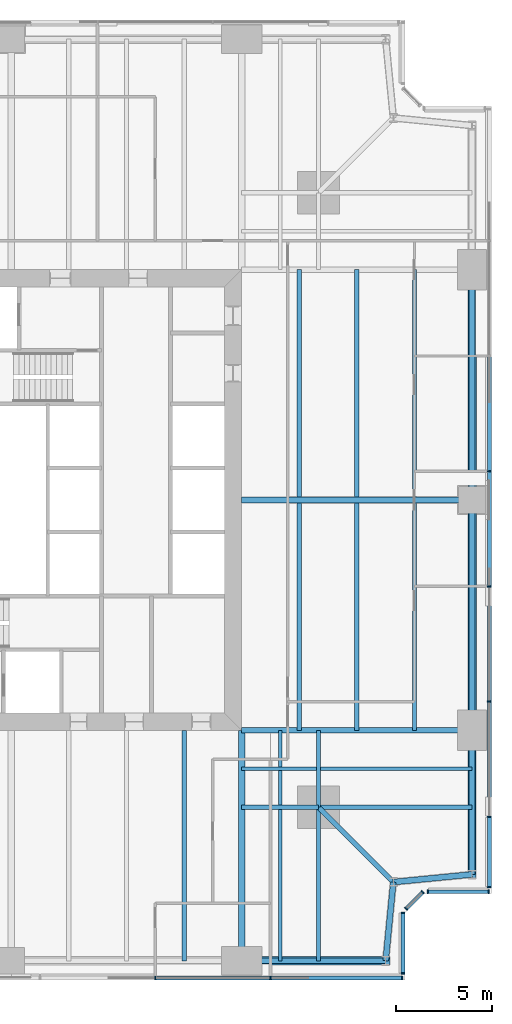
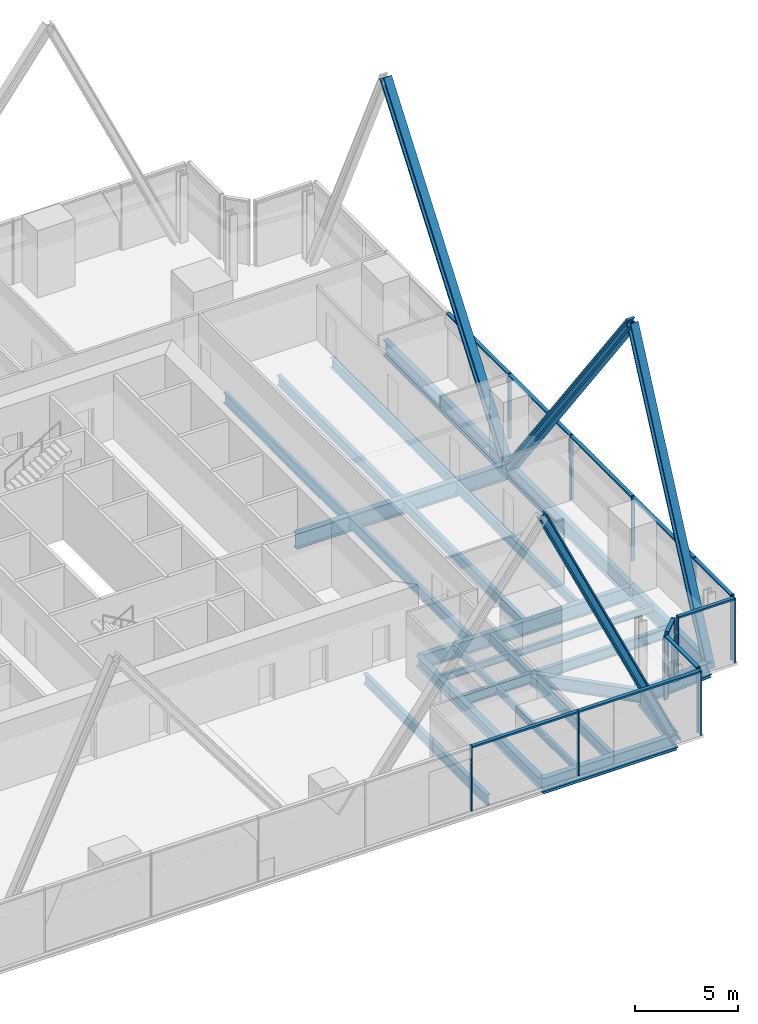
# One storey, part 5 of 13: 28 members, 26 beams, 5 elements without a shape of their own.
"""IFC4 building model written with IfcOpenShell, lengths in metres."""

from ifc_helpers import new_model, si_unit, direction, frame, origin, origin_2d, place, context, subcontext, project, spatial, rectangle, i_section, extrude, material, material_profile, profile_set, type_object, element, aggregate, save


model = new_model("IFC4")

# Units and contexts
model_context = context("Model", 3, precision=1e-05, world=origin(), true_north=direction((0.0, 1.0)))
body_context = subcontext(model_context, "Body", "Model", "MODEL_VIEW")
ifc_project = project(units=[si_unit("LENGTHUNIT", "METRE"), si_unit("AREAUNIT", "SQUARE_METRE"), si_unit("VOLUMEUNIT", "CUBIC_METRE"), si_unit("PLANEANGLEUNIT", "RADIAN"), si_unit("MASSUNIT", "GRAM", prefix="KILO")], contexts=[model_context])

# Site, building, storey
site_placement = place(None, origin())
site = spatial("IfcSite", under=ifc_project, at=site_placement, CompositionType="ELEMENT")
building_placement = place(site_placement, origin())
building = spatial("IfcBuilding", under=site, at=building_placement, Name="Fenwick Lantern Interchange", CompositionType="ELEMENT")
storey_placement = place(building_placement, frame((0.0, 0.0, 114.39990234375)))
storey = spatial("IfcBuildingStorey", under=building, at=storey_placement, Name="L26", CompositionType="ELEMENT", Elevation=114.39990234375)

# Beams
ifc_material_1 = material(Name="Steel ASTM A992 Grade 50", Category="steel")
ifc_material_profile_1 = material_profile(ifc_material_1, i_section(OverallWidth=0.3046875, OverallDepth=0.911865234375, WebThickness=0.015869140625, FlangeThickness=0.02392578125, at=origin_2d()), Name="W36X150")
ifc_profile_set_1 = profile_set([ifc_material_profile_1], Name="Steel ASTM A992 Grade 50")
beam_type_1 = type_object("IfcBeamType", Name="EDGE BEAM W36X150", PredefinedType="SPANDREL", material=ifc_profile_set_1)
beam_1_placement = place(storey_placement, frame((37.0, 1.0, -0.605712890625), z_axis=(1.0, 0.0, 0.0), x_axis=(0.0, 1.0, 0.0)))
element("IfcBeam", 1, at=beam_1_placement, inside=storey, type_object=beam_type_1, Name="L26/FR/S/EB4", PredefinedType="SPANDREL", context=body_context, shape_type="SweptSolid", body=[
    extrude(i_section(OverallWidth=0.3046875, OverallDepth=0.911865234375, WebThickness=0.015869140625, FlangeThickness=0.02392578125, at=origin_2d()), origin(), (0.0, 0.0, 1.0), 7.5),
])
for number, where, z_axis, x_axis, name in (
    (2, (44.5, 1.0, -0.605712890625), (0.097074191287, 0.995277148028, 0.0), (-0.995277148028, 0.097074191287, 0.0), "L26/FR/S/EBR1"),
    (3, (44.89990234375, 5.10009765625, -0.605712890625), (0.995277148028, 0.097074191287, 0.0), (-0.097074191287, 0.995277148028, 0.0), "L26/FR/S/EBR2"),
):
    element("IfcBeam", number, at=place(storey_placement, frame(where, z_axis=z_axis, x_axis=x_axis)), inside=storey, type_object=beam_type_1, Name=name, PredefinedType="SPANDREL", context=body_context, shape_type="SweptSolid", body=[
        extrude(i_section(OverallWidth=0.3046875, OverallDepth=0.911865234375, WebThickness=0.015869140625, FlangeThickness=0.02392578125, at=origin_2d()), origin(), (0.0, 0.0, 1.0), 4.11962890625),
    ])
beam_2_placement = place(storey_placement, frame((49.0, 5.5, -0.605712890625), z_axis=(0.0, 1.0, 0.0), x_axis=(-1.0, 0.0, 0.0)))
element("IfcBeam", 4, at=beam_2_placement, inside=storey, type_object=beam_type_1, Name="L26/FR/E/EB1", PredefinedType="SPANDREL", context=body_context, shape_type="SweptSolid", body=[
    extrude(i_section(OverallWidth=0.3046875, OverallDepth=0.911865234375, WebThickness=0.015869140625, FlangeThickness=0.02392578125, at=origin_2d()), origin(), (0.0, 0.0, 1.0), 7.5),
])
for number, where, z_axis, x_axis, name in (
    (5, (49.0, 13.0, -0.605712890625), (0.0, 1.0, 0.0), (-1.0, 0.0, 0.0), "L26/FR/E/EB2"),
    (6, (49.0, 25.0, -0.605712890625), (0.0, 1.0, 0.0), (-1.0, 0.0, 0.0), "L26/FR/E/EB3"),
):
    element("IfcBeam", number, at=place(storey_placement, frame(where, z_axis=z_axis, x_axis=x_axis)), inside=storey, type_object=beam_type_1, Name=name, PredefinedType="SPANDREL", context=body_context, shape_type="SweptSolid", body=[
        extrude(i_section(OverallWidth=0.3046875, OverallDepth=0.911865234375, WebThickness=0.015869140625, FlangeThickness=0.02392578125, at=origin_2d()), origin(), (0.0, 0.0, 1.0), 12.0),
    ])

# Members
ifc_material_profile_2 = material_profile(ifc_material_1, i_section(OverallWidth=0.424072265625, OverallDepth=0.47509765625, WebThickness=0.0478515625, FlangeThickness=0.0771484375, at=origin_2d()), Name="W14X426")
ifc_profile_set_2 = profile_set([ifc_material_profile_2], Name="Steel ASTM A992 Grade 50")
member_type_1 = type_object("IfcMemberType", Name="FACADE BRACE W14X426", PredefinedType="BRACE", material=ifc_profile_set_2)
for number, where, z_axis, x_axis, name in (
    (7, (44.5, 1.0, -0.605712890625), (-0.424433876231, 0.0, 0.905458935959), (0.0, -1.0, 0.0), "L26/FB/S/BE"),
    (8, (49.0, 5.5, -0.605712890625), (0.0, 0.424433876231, 0.905458935959), (-1.0, 0.0, 0.0), "L26/FB/E/AE"),
):
    element("IfcMember", number, at=place(storey_placement, frame(where, z_axis=z_axis, x_axis=x_axis)), inside=storey, type_object=member_type_1, Name=name, PredefinedType="BRACE", context=body_context, shape_type="SweptSolid", body=[
        extrude(i_section(OverallWidth=0.424072265625, OverallDepth=0.47509765625, WebThickness=0.0478515625, FlangeThickness=0.0771484375, at=origin_2d()), origin(), (0.0, 0.0, 1.0), 17.670654296875),
    ])
ifc_material_profile_3 = material_profile(ifc_material_1, i_section(OverallWidth=0.44189453125, OverallDepth=0.53076171875, WebThickness=0.06591796875, FlangeThickness=0.105712890625, at=origin_2d()), Name="W14X605")
ifc_profile_set_3 = profile_set([ifc_material_profile_3], Name="Steel ASTM A992 Grade 50")
member_type_2 = type_object("IfcMemberType", Name="FACADE BRACE W14X605", PredefinedType="BRACE", material=ifc_profile_set_3)
for number, where, z_axis, x_axis, name in (
    (9, (49.0, 25.0, -0.605712890625), (0.0, -0.6, 0.8), (1.0, 0.0, 0.0), "L26/FB/E/A"),
    (10, (49.0, 25.0, -0.605712890625), (0.0, 0.6, 0.8), (-1.0, 0.0, 0.0), "L26/FB/E/B"),
):
    element("IfcMember", number, at=place(storey_placement, frame(where, z_axis=z_axis, x_axis=x_axis)), inside=storey, type_object=member_type_2, Name=name, PredefinedType="BRACE", context=body_context, shape_type="SweptSolid", body=[
        extrude(i_section(OverallWidth=0.44189453125, OverallDepth=0.53076171875, WebThickness=0.06591796875, FlangeThickness=0.105712890625, at=origin_2d()), origin(), (0.0, 0.0, 1.0), 20.0),
    ])

# Beams
ifc_material_profile_4 = material_profile(ifc_material_1, i_section(OverallWidth=0.22900390625, OverallDepth=0.612060546875, WebThickness=0.011962890625, FlangeThickness=0.01953125, at=origin_2d()), Name="W24X84")
ifc_profile_set_4 = profile_set([ifc_material_profile_4], Name="Steel ASTM A992 Grade 50")
beam_type_2 = type_object("IfcBeamType", Name="FLOOR BEAM W24X84", PredefinedType="BEAM", material=ifc_profile_set_4)
beam_3_placement = place(storey_placement, frame((34.0, 1.0, -0.4560546875), z_axis=(0.0, 1.0, 0.0), x_axis=(-1.0, 0.0, 0.0)))
element("IfcBeam", 11, at=beam_3_placement, inside=storey, type_object=beam_type_2, Name="L26/FR/S/R08", PredefinedType="BEAM", context=body_context, shape_type="SweptSolid", body=[
    extrude(i_section(OverallWidth=0.22900390625, OverallDepth=0.612060546875, WebThickness=0.011962890625, FlangeThickness=0.01953125, at=origin_2d()), origin(), (0.0, 0.0, 1.0), 12.0),
])
for number, where, z_axis, x_axis, name in (
    (12, (46.0, 13.0, -0.4560546875), (0.0, 1.0, 0.0), (-1.0, 0.0, 0.0), "L26/FR/E/B01"),
    (13, (43.0, 13.0, -0.4560546875), (0.0, 1.0, 0.0), (-1.0, 0.0, 0.0), "L26/FR/E/B02"),
    (14, (40.0, 13.0, -0.4560546875), (0.0, 1.0, 0.0), (-1.0, 0.0, 0.0), "L26/FR/E/B03"),
    (15, (46.0, 25.155029296875, -0.4560546875), (0.0, 1.0, 0.0), (-1.0, 0.0, 0.0), "L26/FR/E/B04"),
    (16, (43.0, 25.155029296875, -0.4560546875), (0.0, 1.0, 0.0), (-1.0, 0.0, 0.0), "L26/FR/E/B05"),
    (17, (40.0, 25.155029296875, -0.4560546875), (0.0, 1.0, 0.0), (-1.0, 0.0, 0.0), "L26/FR/E/B06"),
):
    element("IfcBeam", number, at=place(storey_placement, frame(where, z_axis=z_axis, x_axis=x_axis)), inside=storey, type_object=beam_type_2, Name=name, PredefinedType="BEAM", context=body_context, shape_type="SweptSolid", body=[
        extrude(i_section(OverallWidth=0.22900390625, OverallDepth=0.612060546875, WebThickness=0.011962890625, FlangeThickness=0.01953125, at=origin_2d()), origin(), (0.0, 0.0, 1.0), 11.844970703125),
    ])
ifc_material_profile_5 = material_profile(ifc_material_1, i_section(OverallWidth=0.177734375, OverallDepth=0.406494140625, WebThickness=0.0078125, FlangeThickness=0.012939453125, at=origin_2d()), Name="W16X40")
ifc_profile_set_5 = profile_set([ifc_material_profile_5], Name="Steel ASTM A992 Grade 50")
beam_type_3 = type_object("IfcBeamType", Name="INFILL BEAM W16X40", PredefinedType="JOIST", material=ifc_profile_set_5)
beam_4_placement = place(storey_placement, frame((49.0, 11.0, -0.35302734375), z_axis=(-1.0, 0.0, 0.0), x_axis=(0.0, -1.0, 0.0)))
element("IfcBeam", 18, at=beam_4_placement, inside=storey, type_object=beam_type_3, Name="L26/FR/E/J1", PredefinedType="JOIST", context=body_context, shape_type="SweptSolid", body=[
    extrude(i_section(OverallWidth=0.177734375, OverallDepth=0.406494140625, WebThickness=0.0078125, FlangeThickness=0.012939453125, at=origin_2d()), origin(), (0.0, 0.0, 1.0), 7.885498046875),
])
beam_5_placement = place(storey_placement, frame((40.885498046875, 11.0, -0.35302734375), z_axis=(-1.0, 0.0, 0.0), x_axis=(0.0, -1.0, 0.0)))
element("IfcBeam", 19, at=beam_5_placement, inside=storey, type_object=beam_type_3, Name="L26/FR/E/J2", PredefinedType="JOIST", context=body_context, shape_type="SweptSolid", body=[
    extrude(i_section(OverallWidth=0.177734375, OverallDepth=0.406494140625, WebThickness=0.0078125, FlangeThickness=0.012939453125, at=origin_2d()), origin(), (0.0, 0.0, 1.0), 3.885498046875),
])
beam_6_placement = place(storey_placement, frame((39.0, 1.0, -0.35302734375), z_axis=(0.0, 1.0, 0.0), x_axis=(-1.0, 0.0, 0.0)))
element("IfcBeam", 20, at=beam_6_placement, inside=storey, type_object=beam_type_3, Name="L26/FR/E/J3", PredefinedType="JOIST", context=body_context, shape_type="SweptSolid", body=[
    extrude(i_section(OverallWidth=0.177734375, OverallDepth=0.406494140625, WebThickness=0.0078125, FlangeThickness=0.012939453125, at=origin_2d()), origin(), (0.0, 0.0, 1.0), 7.885498046875),
])
beam_7_placement = place(storey_placement, frame((39.0, 9.114501953125, -0.35302734375), z_axis=(0.0, 1.0, 0.0), x_axis=(-1.0, 0.0, 0.0)))
element("IfcBeam", 21, at=beam_7_placement, inside=storey, type_object=beam_type_3, Name="L26/FR/E/J4", PredefinedType="JOIST", context=body_context, shape_type="SweptSolid", body=[
    extrude(i_section(OverallWidth=0.177734375, OverallDepth=0.406494140625, WebThickness=0.0078125, FlangeThickness=0.012939453125, at=origin_2d()), origin(), (0.0, 0.0, 1.0), 1.796630859375),
])
beam_8_placement = place(storey_placement, frame((39.0, 11.0888671875, -0.35302734375), z_axis=(0.0, 1.0, 0.0), x_axis=(-1.0, 0.0, 0.0)))
element("IfcBeam", 22, at=beam_8_placement, inside=storey, type_object=beam_type_3, Name="L26/FR/E/J5", PredefinedType="JOIST", context=body_context, shape_type="SweptSolid", body=[
    extrude(i_section(OverallWidth=0.177734375, OverallDepth=0.406494140625, WebThickness=0.0078125, FlangeThickness=0.012939453125, at=origin_2d()), origin(), (0.0, 0.0, 1.0), 1.9111328125),
])
ifc_material_profile_6 = material_profile(ifc_material_1, i_section(OverallWidth=0.22900390625, OverallDepth=0.612060546875, WebThickness=0.011962890625, FlangeThickness=0.01953125, at=origin_2d()), Name="W24X84")
ifc_profile_set_6 = profile_set([ifc_material_profile_6], Name="Steel ASTM A992 Grade 50")
beam_type_4 = type_object("IfcBeamType", Name="MEGA COLUMN BEAM W24X84", PredefinedType="BEAM", material=ifc_profile_set_6)
for number, where, z_axis, x_axis, name in (
    (23, (41.0, 9.0, -0.4560546875), (1.0, 0.0, 0.0), (0.0, 1.0, 0.0), "L26/FR/E/MB1"),
    (24, (41.0, 9.0, -0.4560546875), (0.0, -1.0, 0.0), (1.0, 0.0, 0.0), "L26/FR/E/MB2"),
):
    element("IfcBeam", number, at=place(storey_placement, frame(where, z_axis=z_axis, x_axis=x_axis)), inside=storey, type_object=beam_type_4, Name=name, PredefinedType="BEAM", context=body_context, shape_type="SweptSolid", body=[
        extrude(i_section(OverallWidth=0.22900390625, OverallDepth=0.612060546875, WebThickness=0.011962890625, FlangeThickness=0.01953125, at=origin_2d()), origin(), (0.0, 0.0, 1.0), 8.0),
    ])
for number, where, z_axis, x_axis, name in (
    (25, (41.0, 9.0, -0.4560546875), (0.0, 1.0, 0.0), (-1.0, 0.0, 0.0), "L26/FR/E/MB3"),
    (26, (41.0, 9.0, -0.4560546875), (-1.0, 0.0, 0.0), (0.0, -1.0, 0.0), "L26/FR/E/MB4"),
):
    element("IfcBeam", number, at=place(storey_placement, frame(where, z_axis=z_axis, x_axis=x_axis)), inside=storey, type_object=beam_type_4, Name=name, PredefinedType="BEAM", context=body_context, shape_type="SweptSolid", body=[
        extrude(i_section(OverallWidth=0.22900390625, OverallDepth=0.612060546875, WebThickness=0.011962890625, FlangeThickness=0.01953125, at=origin_2d()), origin(), (0.0, 0.0, 1.0), 4.0),
    ])
ifc_material_profile_7 = material_profile(ifc_material_1, i_section(OverallWidth=0.32763671875, OverallDepth=0.622314453125, WebThickness=0.015380859375, FlangeThickness=0.0244140625, at=origin_2d()), Name="W24X131")
ifc_profile_set_7 = profile_set([ifc_material_profile_7], Name="Steel ASTM A992 Grade 50")
beam_type_5 = type_object("IfcBeamType", Name="MOMENT-CONNECTED GIRDER W24X131", PredefinedType="BEAM", material=ifc_profile_set_7)
beam_9_placement = place(storey_placement, frame((37.0, 1.0, -0.4609375), z_axis=(0.0, 1.0, 0.0), x_axis=(-1.0, 0.0, 0.0)))
element("IfcBeam", 27, at=beam_9_placement, inside=storey, type_object=beam_type_5, Name="L26/FR/S/R09", PredefinedType="BEAM", context=body_context, shape_type="SweptSolid", body=[
    extrude(i_section(OverallWidth=0.32763671875, OverallDepth=0.622314453125, WebThickness=0.015380859375, FlangeThickness=0.0244140625, at=origin_2d()), origin(), (0.0, 0.0, 1.0), 12.0),
])
ifc_material_profile_8 = material_profile(ifc_material_1, i_section(OverallWidth=0.2919921875, OverallDepth=0.845703125, WebThickness=0.015380859375, FlangeThickness=0.0244140625, at=origin_2d()), Name="W33X141")
ifc_profile_set_8 = profile_set([ifc_material_profile_8], Name="Steel ASTM A992 Grade 50")
beam_type_6 = type_object("IfcBeamType", Name="MOMENT-CONNECTED GIRDER W33X141", PredefinedType="BEAM", material=ifc_profile_set_8)
beam_10_placement = place(storey_placement, frame((49.0, 13.0, -0.57275390625), z_axis=(-1.0, 0.0, 0.0), x_axis=(0.0, -1.0, 0.0)))
element("IfcBeam", 28, at=beam_10_placement, inside=storey, type_object=beam_type_6, Name="L26/FR/E/R01", PredefinedType="BEAM", context=body_context, shape_type="SweptSolid", body=[
    extrude(i_section(OverallWidth=0.2919921875, OverallDepth=0.845703125, WebThickness=0.015380859375, FlangeThickness=0.0244140625, at=origin_2d()), origin(), (0.0, 0.0, 1.0), 12.0),
])
ifc_material_profile_9 = material_profile(ifc_material_1, i_section(OverallWidth=0.309814453125, OverallDepth=0.949951171875, WebThickness=0.0244140625, FlangeThickness=0.0439453125, at=origin_2d()), Name="W36X256")
ifc_profile_set_9 = profile_set([ifc_material_profile_9], Name="Steel ASTM A992 Grade 50")
beam_type_7 = type_object("IfcBeamType", Name="MOMENT-CONNECTED GIRDER W36X256", PredefinedType="BEAM", material=ifc_profile_set_9)
beam_11_placement = place(storey_placement, frame((49.0, 25.0, -0.625), z_axis=(-1.0, 0.0, 0.0), x_axis=(0.0, -1.0, 0.0)))
element("IfcBeam", 29, at=beam_11_placement, inside=storey, type_object=beam_type_7, Name="L26/FR/E/R02", PredefinedType="BEAM", context=body_context, shape_type="SweptSolid", body=[
    extrude(i_section(OverallWidth=0.309814453125, OverallDepth=0.949951171875, WebThickness=0.0244140625, FlangeThickness=0.0439453125, at=origin_2d()), origin(), (0.0, 0.0, 1.0), 12.0),
])
ifc_material_profile_10 = material_profile(ifc_material_1, i_section(OverallWidth=0.2666015625, OverallDepth=0.7568359375, WebThickness=0.013916015625, FlangeThickness=0.019287109375, at=origin_2d()), Name="W30X108")
ifc_profile_set_10 = profile_set([ifc_material_profile_10], Name="Steel ASTM A992 Grade 50")
beam_type_8 = type_object("IfcBeamType", Name="NOTCH BEAM W30X108", PredefinedType="BEAM", material=ifc_profile_set_10)
beam_12_placement = place(storey_placement, frame((41.0, 9.0, -0.5283203125), z_axis=(0.707106781187, -0.707106781187, 0.0), x_axis=(0.707106781187, 0.707106781187, 0.0)))
element("IfcBeam", 30, at=beam_12_placement, inside=storey, type_object=beam_type_8, Name="L26/FR/E/TG", PredefinedType="BEAM", context=body_context, shape_type="SweptSolid", body=[
    extrude(i_section(OverallWidth=0.2666015625, OverallDepth=0.7568359375, WebThickness=0.013916015625, FlangeThickness=0.019287109375, at=origin_2d()), origin(), (0.0, 0.0, 1.0), 5.515380859375),
])

# Curtain wall, members
ifc_material_2 = material(Name="Aluminium curtain wall frame", Category="aluminium")
curtain_wall_type = type_object("IfcCurtainWallType", Name="OFFICE CURTAIN WALL", PredefinedType="USERDEFINED", material=ifc_material_2)
curtain_wall_1_placement = place(storey_placement, origin())
curtain_wall_1 = element("IfcCurtainWall", 31, at=curtain_wall_1_placement, inside=storey, type_object=curtain_wall_type, Name="Office curtain wall 01", ObjectType="OFFICE CURTAIN WALL", PredefinedType="USERDEFINED")
ifc_material_3 = material(Name="Aluminium extrusion", Category="aluminium")
ifc_material_profile_11 = material_profile(ifc_material_3, rectangle(XDim=0.199951171875, YDim=0.06494140625, at=origin_2d()), Name="OFFICE CURTAIN WALL MULLION 65 X 200")
ifc_profile_set_11 = profile_set([ifc_material_profile_11], Name="Aluminium extrusion")
member_type_3 = type_object("IfcMemberType", Name="OFFICE CURTAIN WALL MULLION 65 X 200", PredefinedType="MULLION", material=ifc_profile_set_11)
member_1_placement = place(storey_placement, frame((32.5, 0.10009765625, 0.0), z_axis=(0.0, 0.0, 1.0), x_axis=(0.0, 1.0, 0.0)))
member_1 = element("IfcMember", 32, at=member_1_placement, type_object=member_type_3, Name="L26/CW/01/M05", PredefinedType="MULLION", context=body_context, shape_type="SweptSolid", body=[
    extrude(rectangle(XDim=0.199951171875, YDim=0.06494140625, at=origin_2d()), origin(), (0.0, 0.0, 1.0), 3.85009765625),
])
member_2_placement = place(storey_placement, frame((38.5, 0.10009765625, 0.0), z_axis=(0.0, 0.0, 1.0), x_axis=(0.0, 1.0, 0.0)))
member_2 = element("IfcMember", 33, at=member_2_placement, type_object=member_type_3, Name="L26/CW/01/M06", PredefinedType="MULLION", context=body_context, shape_type="SweptSolid", body=[
    extrude(rectangle(XDim=0.199951171875, YDim=0.06494140625, at=origin_2d()), origin(), (0.0, 0.0, 1.0), 3.85009765625),
])
member_3_placement = place(storey_placement, frame((45.367431640625, 0.10009765625, 0.0), z_axis=(0.0, 0.0, 1.0), x_axis=(0.0, 1.0, 0.0)))
member_3 = element("IfcMember", 34, at=member_3_placement, type_object=member_type_3, Name="L26/CW/01/M07", PredefinedType="MULLION", context=body_context, shape_type="SweptSolid", body=[
    extrude(rectangle(XDim=0.199951171875, YDim=0.06494140625, at=origin_2d()), origin(), (0.0, 0.0, 1.0), 3.85009765625),
])

curtain_wall_2_placement = place(storey_placement, origin())
curtain_wall_2 = element("IfcCurtainWall", 35, at=curtain_wall_2_placement, inside=storey, type_object=curtain_wall_type, Name="Office curtain wall 02", ObjectType="OFFICE CURTAIN WALL", PredefinedType="USERDEFINED")
member_4_placement = place(storey_placement, frame((45.39990234375, 0.33251953125, 0.0), z_axis=(0.0, 0.0, 1.0), x_axis=(-1.0, 0.0, 0.0)))
member_4 = element("IfcMember", 36, at=member_4_placement, type_object=member_type_3, Name="L26/CW/02/M00", PredefinedType="MULLION", context=body_context, shape_type="SweptSolid", body=[
    extrude(rectangle(XDim=0.199951171875, YDim=0.06494140625, at=origin_2d()), origin(), (0.0, 0.0, 1.0), 3.85009765625),
])
member_5_placement = place(storey_placement, frame((45.39990234375, 3.509033203125, 0.0), z_axis=(0.0, 0.0, 1.0), x_axis=(-1.0, 0.0, 0.0)))
member_5 = element("IfcMember", 37, at=member_5_placement, type_object=member_type_3, Name="L26/CW/02/M01", PredefinedType="MULLION", context=body_context, shape_type="SweptSolid", body=[
    extrude(rectangle(XDim=0.199951171875, YDim=0.06494140625, at=origin_2d()), origin(), (0.0, 0.0, 1.0), 3.85009765625),
])

curtain_wall_3_placement = place(storey_placement, origin())
curtain_wall_3 = element("IfcCurtainWall", 38, at=curtain_wall_3_placement, inside=storey, type_object=curtain_wall_type, Name="Office curtain wall 03", ObjectType="OFFICE CURTAIN WALL", PredefinedType="USERDEFINED")
member_6_placement = place(storey_placement, frame((45.564453125, 3.705810546875, 0.0), z_axis=(0.0, 0.0, 1.0), x_axis=(-0.707106781187, 0.707106781187, 0.0)))
member_6 = element("IfcMember", 39, at=member_6_placement, type_object=member_type_3, Name="L26/CW/03/M00", PredefinedType="MULLION", context=body_context, shape_type="SweptSolid", body=[
    extrude(rectangle(XDim=0.199951171875, YDim=0.06494140625, at=origin_2d()), origin(), (0.0, 0.0, 1.0), 3.85009765625),
])
member_7_placement = place(storey_placement, frame((46.435546875, 4.576904296875, 0.0), z_axis=(0.0, 0.0, 1.0), x_axis=(-0.707106781187, 0.707106781187, 0.0)))
member_7 = element("IfcMember", 40, at=member_7_placement, type_object=member_type_3, Name="L26/CW/03/M01", PredefinedType="MULLION", context=body_context, shape_type="SweptSolid", body=[
    extrude(rectangle(XDim=0.199951171875, YDim=0.06494140625, at=origin_2d()), origin(), (0.0, 0.0, 1.0), 3.85009765625),
])

curtain_wall_4_placement = place(storey_placement, origin())
curtain_wall_4 = element("IfcCurtainWall", 41, at=curtain_wall_4_placement, inside=storey, type_object=curtain_wall_type, Name="Office curtain wall 04", ObjectType="OFFICE CURTAIN WALL", PredefinedType="USERDEFINED")
member_8_placement = place(storey_placement, frame((46.691162109375, 4.60009765625, 0.0), z_axis=(0.0, 0.0, 1.0), x_axis=(0.0, 1.0, 0.0)))
member_8 = element("IfcMember", 42, at=member_8_placement, type_object=member_type_3, Name="L26/CW/04/M00", PredefinedType="MULLION", context=body_context, shape_type="SweptSolid", body=[
    extrude(rectangle(XDim=0.199951171875, YDim=0.06494140625, at=origin_2d()), origin(), (0.0, 0.0, 1.0), 3.85009765625),
])
member_9_placement = place(storey_placement, frame((49.867431640625, 4.60009765625, 0.0), z_axis=(0.0, 0.0, 1.0), x_axis=(0.0, 1.0, 0.0)))
member_9 = element("IfcMember", 43, at=member_9_placement, type_object=member_type_3, Name="L26/CW/04/M01", PredefinedType="MULLION", context=body_context, shape_type="SweptSolid", body=[
    extrude(rectangle(XDim=0.199951171875, YDim=0.06494140625, at=origin_2d()), origin(), (0.0, 0.0, 1.0), 3.85009765625),
])

curtain_wall_5_placement = place(storey_placement, origin())
curtain_wall_5 = element("IfcCurtainWall", 44, at=curtain_wall_5_placement, inside=storey, type_object=curtain_wall_type, Name="Office curtain wall 05", ObjectType="OFFICE CURTAIN WALL", PredefinedType="USERDEFINED")
member_10_placement = place(storey_placement, frame((49.89990234375, 4.83251953125, 0.0), z_axis=(0.0, 0.0, 1.0), x_axis=(-1.0, 0.0, 0.0)))
member_10 = element("IfcMember", 45, at=member_10_placement, type_object=member_type_3, Name="L26/CW/05/M00", PredefinedType="MULLION", context=body_context, shape_type="SweptSolid", body=[
    extrude(rectangle(XDim=0.199951171875, YDim=0.06494140625, at=origin_2d()), origin(), (0.0, 0.0, 1.0), 3.85009765625),
])
member_11_placement = place(storey_placement, frame((49.89990234375, 8.5, 0.0), z_axis=(0.0, 0.0, 1.0), x_axis=(-1.0, 0.0, 0.0)))
member_11 = element("IfcMember", 46, at=member_11_placement, type_object=member_type_3, Name="L26/CW/05/M01", PredefinedType="MULLION", context=body_context, shape_type="SweptSolid", body=[
    extrude(rectangle(XDim=0.199951171875, YDim=0.06494140625, at=origin_2d()), origin(), (0.0, 0.0, 1.0), 3.85009765625),
])
member_12_placement = place(storey_placement, frame((49.89990234375, 14.5, 0.0), z_axis=(0.0, 0.0, 1.0), x_axis=(-1.0, 0.0, 0.0)))
member_12 = element("IfcMember", 47, at=member_12_placement, type_object=member_type_3, Name="L26/CW/05/M02", PredefinedType="MULLION", context=body_context, shape_type="SweptSolid", body=[
    extrude(rectangle(XDim=0.199951171875, YDim=0.06494140625, at=origin_2d()), origin(), (0.0, 0.0, 1.0), 3.85009765625),
])
member_13_placement = place(storey_placement, frame((49.89990234375, 20.5, 0.0), z_axis=(0.0, 0.0, 1.0), x_axis=(-1.0, 0.0, 0.0)))
member_13 = element("IfcMember", 48, at=member_13_placement, type_object=member_type_3, Name="L26/CW/05/M03", PredefinedType="MULLION", context=body_context, shape_type="SweptSolid", body=[
    extrude(rectangle(XDim=0.199951171875, YDim=0.06494140625, at=origin_2d()), origin(), (0.0, 0.0, 1.0), 3.85009765625),
])
member_14_placement = place(storey_placement, frame((49.89990234375, 26.5, 0.0), z_axis=(0.0, 0.0, 1.0), x_axis=(-1.0, 0.0, 0.0)))
member_14 = element("IfcMember", 49, at=member_14_placement, type_object=member_type_3, Name="L26/CW/05/M04", PredefinedType="MULLION", context=body_context, shape_type="SweptSolid", body=[
    extrude(rectangle(XDim=0.199951171875, YDim=0.06494140625, at=origin_2d()), origin(), (0.0, 0.0, 1.0), 3.85009765625),
])

# Member
ifc_material_profile_12 = material_profile(ifc_material_3, rectangle(XDim=0.199951171875, YDim=0.10009765625, at=origin_2d()), Name="OFFICE CURTAIN WALL TRANSOM 100 X 200")
ifc_profile_set_12 = profile_set([ifc_material_profile_12], Name="Aluminium extrusion")
member_type_4 = type_object("IfcMemberType", Name="OFFICE CURTAIN WALL TRANSOM 100 X 200", PredefinedType="MULLION", material=ifc_profile_set_12)
member_15_placement = place(storey_placement, frame((32.532470703125, 0.10009765625, 3.800048828125), z_axis=(1.0, 0.0, 0.0), x_axis=(0.0, 1.0, 0.0)))
member_15 = element("IfcMember", 50, at=member_15_placement, type_object=member_type_4, Name="L26/CW/01/T05", PredefinedType="MULLION", context=body_context, shape_type="SweptSolid", body=[
    extrude(rectangle(XDim=0.199951171875, YDim=0.10009765625, at=origin_2d()), origin(), (0.0, 0.0, 1.0), 5.93505859375),
])

member_16_placement = place(storey_placement, frame((38.532470703125, 0.10009765625, 3.800048828125), z_axis=(1.0, 0.0, 0.0), x_axis=(0.0, 1.0, 0.0)))
member_16 = element("IfcMember", 51, at=member_16_placement, type_object=member_type_4, Name="L26/CW/01/T06", PredefinedType="MULLION", context=body_context, shape_type="SweptSolid", body=[
    extrude(rectangle(XDim=0.199951171875, YDim=0.10009765625, at=origin_2d()), origin(), (0.0, 0.0, 1.0), 6.802490234375),
])

aggregate(curtain_wall_1, [member_1, member_2, member_3, member_15, member_16])

member_17_placement = place(storey_placement, frame((45.39990234375, 0.364990234375, 3.800048828125), z_axis=(0.0, 1.0, 0.0), x_axis=(-1.0, 0.0, 0.0)))
member_17 = element("IfcMember", 52, at=member_17_placement, type_object=member_type_4, Name="L26/CW/02/T00", PredefinedType="MULLION", context=body_context, shape_type="SweptSolid", body=[
    extrude(rectangle(XDim=0.199951171875, YDim=0.10009765625, at=origin_2d()), origin(), (0.0, 0.0, 1.0), 3.111328125),
])

aggregate(curtain_wall_2, [member_4, member_5, member_17])

member_18_placement = place(storey_placement, frame((45.58740234375, 3.728759765625, 3.800048828125), z_axis=(0.707106781187, 0.707106781187, 0.0), x_axis=(-0.707106781187, 0.707106781187, 0.0)))
member_18 = element("IfcMember", 53, at=member_18_placement, type_object=member_type_4, Name="L26/CW/03/T00", PredefinedType="MULLION", context=body_context, shape_type="SweptSolid", body=[
    extrude(rectangle(XDim=0.199951171875, YDim=0.10009765625, at=origin_2d()), origin(), (0.0, 0.0, 1.0), 1.1669921875),
])

aggregate(curtain_wall_3, [member_6, member_7, member_18])

member_19_placement = place(storey_placement, frame((46.7236328125, 4.60009765625, 3.800048828125), z_axis=(1.0, 0.0, 0.0), x_axis=(0.0, 1.0, 0.0)))
member_19 = element("IfcMember", 54, at=member_19_placement, type_object=member_type_4, Name="L26/CW/04/T00", PredefinedType="MULLION", context=body_context, shape_type="SweptSolid", body=[
    extrude(rectangle(XDim=0.199951171875, YDim=0.10009765625, at=origin_2d()), origin(), (0.0, 0.0, 1.0), 3.111328125),
])

aggregate(curtain_wall_4, [member_8, member_9, member_19])

member_20_placement = place(storey_placement, frame((49.89990234375, 4.864990234375, 3.800048828125), z_axis=(0.0, 1.0, 0.0), x_axis=(-1.0, 0.0, 0.0)))
member_20 = element("IfcMember", 55, at=member_20_placement, type_object=member_type_4, Name="L26/CW/05/T00", PredefinedType="MULLION", context=body_context, shape_type="SweptSolid", body=[
    extrude(rectangle(XDim=0.199951171875, YDim=0.10009765625, at=origin_2d()), origin(), (0.0, 0.0, 1.0), 3.6025390625),
])

member_21_placement = place(storey_placement, frame((49.89990234375, 8.532470703125, 3.800048828125), z_axis=(0.0, 1.0, 0.0), x_axis=(-1.0, 0.0, 0.0)))
member_21 = element("IfcMember", 56, at=member_21_placement, type_object=member_type_4, Name="L26/CW/05/T01", PredefinedType="MULLION", context=body_context, shape_type="SweptSolid", body=[
    extrude(rectangle(XDim=0.199951171875, YDim=0.10009765625, at=origin_2d()), origin(), (0.0, 0.0, 1.0), 5.93505859375),
])

member_22_placement = place(storey_placement, frame((49.89990234375, 14.532470703125, 3.800048828125), z_axis=(0.0, 1.0, 0.0), x_axis=(-1.0, 0.0, 0.0)))
member_22 = element("IfcMember", 57, at=member_22_placement, type_object=member_type_4, Name="L26/CW/05/T02", PredefinedType="MULLION", context=body_context, shape_type="SweptSolid", body=[
    extrude(rectangle(XDim=0.199951171875, YDim=0.10009765625, at=origin_2d()), origin(), (0.0, 0.0, 1.0), 5.93505859375),
])

member_23_placement = place(storey_placement, frame((49.89990234375, 20.532470703125, 3.800048828125), z_axis=(0.0, 1.0, 0.0), x_axis=(-1.0, 0.0, 0.0)))
member_23 = element("IfcMember", 58, at=member_23_placement, type_object=member_type_4, Name="L26/CW/05/T03", PredefinedType="MULLION", context=body_context, shape_type="SweptSolid", body=[
    extrude(rectangle(XDim=0.199951171875, YDim=0.10009765625, at=origin_2d()), origin(), (0.0, 0.0, 1.0), 5.93505859375),
])

member_24_placement = place(storey_placement, frame((49.89990234375, 26.532470703125, 3.800048828125), z_axis=(0.0, 1.0, 0.0), x_axis=(-1.0, 0.0, 0.0)))
member_24 = element("IfcMember", 59, at=member_24_placement, type_object=member_type_4, Name="L26/CW/05/T04", PredefinedType="MULLION", context=body_context, shape_type="SweptSolid", body=[
    extrude(rectangle(XDim=0.199951171875, YDim=0.10009765625, at=origin_2d()), origin(), (0.0, 0.0, 1.0), 5.93505859375),
])

aggregate(curtain_wall_5, [member_10, member_11, member_12, member_13, member_14, member_20, member_21, member_22, member_23, member_24])

save(model, "model.ifc")
